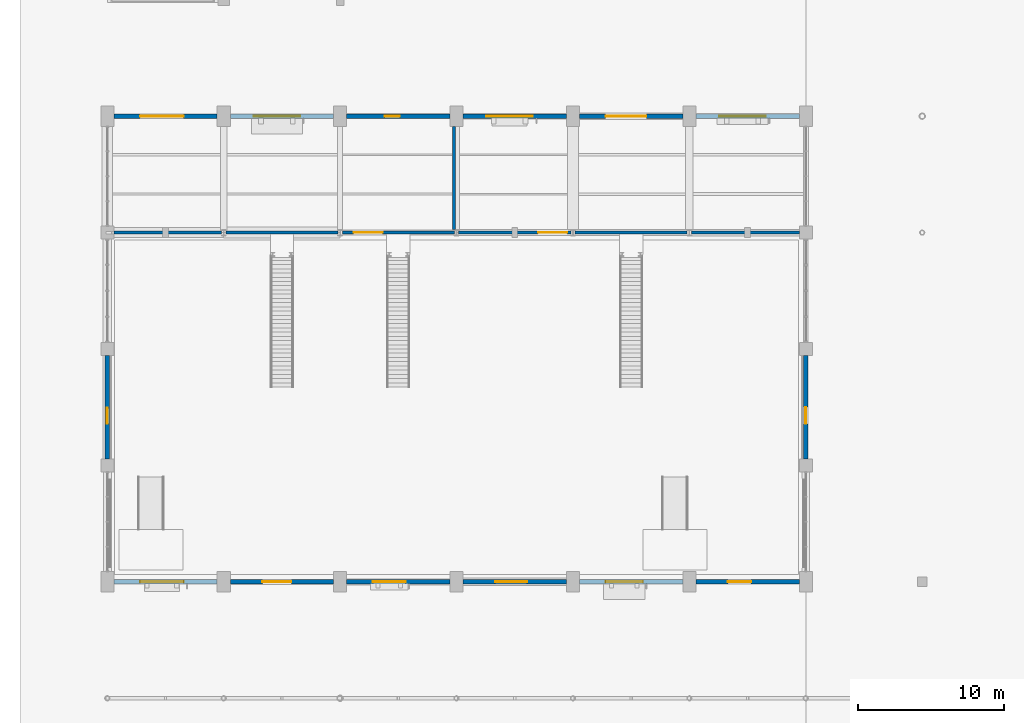
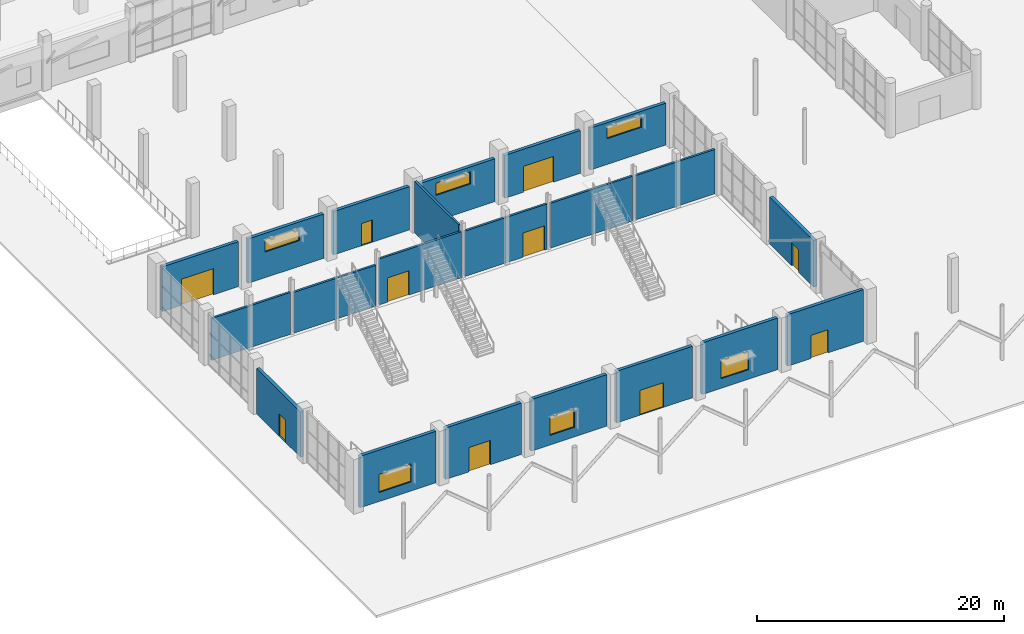
# One storey, part 97 of 123: 21 walls, 10 doors, 6 windows, 16 openings.
"""IFC4 building model written with IfcOpenShell, lengths in metres."""

from ifc_helpers import new_model, si_unit, direction, frame, frame_2d, origin, place, context, subcontext, project, spatial, rectangle, extrude, material, layer, layer_set, type_object, element, fill, save


model = new_model("IFC4")

# Units and contexts
model_context = context("Model", 3, precision=1e-05, world=origin(), true_north=direction((0.0, 1.0)))
body_context = subcontext(model_context, "Body", "Model", "MODEL_VIEW")
ifc_project = project(units=[si_unit("LENGTHUNIT", "METRE"), si_unit("AREAUNIT", "SQUARE_METRE"), si_unit("VOLUMEUNIT", "CUBIC_METRE"), si_unit("PLANEANGLEUNIT", "RADIAN"), si_unit("MASSUNIT", "GRAM", prefix="KILO")], contexts=[model_context])

# Site, building, storey
site_placement = place(None, origin())
site = spatial("IfcSite", under=ifc_project, at=site_placement, CompositionType="ELEMENT")
building_placement = place(site_placement, origin())
building = spatial("IfcBuilding", under=site, at=building_placement, Name="Tenunan Teduh Sports Hall", CompositionType="ELEMENT")
storey_placement = place(building_placement, origin())
storey = spatial("IfcBuildingStorey", under=building, at=storey_placement, Name="L00", CompositionType="ELEMENT", Elevation=0.0)

# Wall, opening, window
ifc_material_1 = material(Name="Concrete C40/50", Category="concrete")
ifc_layer_1 = layer(ifc_material_1, 0.300048828125)
ifc_layer_set_1 = layer_set([ifc_layer_1], Name="Concrete C40/50")
wall_type_1 = type_object("IfcWallType", Name="WL-EXT-300", PredefinedType="SOLIDWALL", material=ifc_layer_set_1)
wall_1_placement = place(storey_placement, frame((6.449951171875, 14.0, 0.0), z_axis=(0.0, 0.0, 1.0), x_axis=(1.0, 0.0, 0.0)))
wall_1 = element("IfcWall", 1, at=wall_1_placement, inside=storey, type_object=wall_type_1, Name="WL-EXT-L00-086", PredefinedType="SOLIDWALL", context=body_context, shape_type="SweptSolid", body=[
    extrude(rectangle(XDim=7.10009765625, YDim=0.300048828125, at=frame_2d((3.550048828125, 0.0))), origin(), (0.0, 0.0, 1.0), 5.10009765625),
])
opening_1_placement = place(wall_1_placement, frame((1.800048828125, 0.0, 0.89990234375)))
opening_1 = element("IfcOpeningElement", 2, at=opening_1_placement, cuts=wall_1, Name="Opening W-04", PredefinedType="OPENING", context=body_context, shape_type="SweptSolid", body=[
    extrude(rectangle(XDim=3.0, YDim=1.800048828125, at=frame_2d((1.5, 0.89990234375))), frame((0.0, 0.159912109375, 0.0), z_axis=(0.0, -1.0, 0.0), x_axis=(1.0, 0.0, 0.0)), (0.0, 0.0, 1.0), 0.320068359375),
])
ifc_material_2 = material(Name="Thermally broken aluminium and Low-E glazing", Category="aluminium")
window_type_1 = type_object("IfcWindowType", Name="WIN-04", PartitioningType="TRIPLE_PANEL_VERTICAL", PredefinedType="WINDOW", material=ifc_material_2)
window_1_placement = place(opening_1_placement, origin())
window_1 = element("IfcWindow", 3, at=window_1_placement, inside=storey, type_object=window_type_1, Name="WIN-L00-008", OverallHeight=1.800048828125, OverallWidth=3.0, PartitioningType="SINGLE_PANEL", PredefinedType="WINDOW", context=body_context, shape_type="SweptSolid", body=[
    extrude(rectangle(XDim=3.0, YDim=1.800048828125, at=frame_2d((1.5, 0.89990234375))), frame((0.0, 0.030029296875, 0.0), z_axis=(0.0, -1.0, 0.0), x_axis=(1.0, 0.0, 0.0)), (0.0, 0.0, 1.0), 0.06005859375),
])
fill(opening_1, window_1)

# Wall, opening, door
wall_2_placement = place(storey_placement, frame((6.449951171875, 46.0, 0.0), z_axis=(0.0, 0.0, 1.0), x_axis=(1.0, 0.0, 0.0)))
wall_2 = element("IfcWall", 4, at=wall_2_placement, inside=storey, type_object=wall_type_1, Name="WL-EXT-L00-087", PredefinedType="SOLIDWALL", context=body_context, shape_type="SweptSolid", body=[
    extrude(rectangle(XDim=7.10009765625, YDim=0.300048828125, at=frame_2d((3.550048828125, 0.0))), origin(), (0.0, 0.0, 1.0), 4.43994140625),
])
opening_2_placement = place(wall_2_placement, frame((1.800048828125, 0.0, 0.0)))
opening_2 = element("IfcOpeningElement", 5, at=opening_2_placement, cuts=wall_2, Name="Opening EG-02", PredefinedType="OPENING", context=body_context, shape_type="SweptSolid", body=[
    extrude(rectangle(XDim=3.0, YDim=2.60009765625, at=frame_2d((1.5, 1.300048828125))), frame((0.0, 0.159912109375, 0.0), z_axis=(0.0, -1.0, 0.0), x_axis=(1.0, 0.0, 0.0)), (0.0, 0.0, 1.0), 0.320068359375),
])
ifc_material_3 = material(Name="Powder-coated aluminium and laminated safety glass", Category="aluminium")
door_type_1 = type_object("IfcDoorType", Name="EGT-02", OperationType="DOUBLE_SWING_LEFT", PredefinedType="GATE", material=ifc_material_3)
door_1_placement = place(opening_2_placement, origin())
door_1 = element("IfcDoor", 6, at=door_1_placement, inside=storey, type_object=door_type_1, Name="DR-EXT-L00-012", OperationType="DOUBLE_SWING_LEFT", OverallHeight=2.60009765625, OverallWidth=3.0, PredefinedType="GATE", context=body_context, shape_type="SweptSolid", body=[
    extrude(rectangle(XDim=3.0, YDim=2.60009765625, at=frame_2d((1.5, 1.300048828125))), frame((0.0, 0.02490234375, 0.0), z_axis=(0.0, -1.0, 0.0), x_axis=(1.0, 0.0, 0.0)), (0.0, 0.0, 1.0), 0.050048828125),
])
fill(opening_2, door_1)

wall_3_placement = place(storey_placement, frame((14.449951171875, 14.0, 0.0), z_axis=(0.0, 0.0, 1.0), x_axis=(1.0, 0.0, 0.0)))
wall_3 = element("IfcWall", 7, at=wall_3_placement, inside=storey, type_object=wall_type_1, Name="WL-EXT-L00-088", PredefinedType="SOLIDWALL", context=body_context, shape_type="SweptSolid", body=[
    extrude(rectangle(XDim=7.10009765625, YDim=0.300048828125, at=frame_2d((3.550048828125, 0.0))), origin(), (0.0, 0.0, 1.0), 5.10009765625),
])
opening_3_placement = place(wall_3_placement, frame((2.199951171875, 0.0, 0.0)))
opening_3 = element("IfcOpeningElement", 8, at=opening_3_placement, cuts=wall_3, Name="Opening ED-01", PredefinedType="OPENING", context=body_context, shape_type="SweptSolid", body=[
    extrude(rectangle(XDim=2.0, YDim=2.39990234375, at=frame_2d((1.0, 1.199951171875))), frame((0.0, 0.159912109375, 0.0), z_axis=(0.0, -1.0, 0.0), x_axis=(1.0, 0.0, 0.0)), (0.0, 0.0, 1.0), 0.320068359375),
])
ifc_material_4 = material(Name="Powder-coated aluminium and laminated safety glass", Category="aluminium")
door_type_2 = type_object("IfcDoorType", Name="EDR-01", OperationType="DOUBLE_DOOR_SINGLE_SWING", PredefinedType="DOOR", material=ifc_material_4)
door_2_placement = place(opening_3_placement, origin())
door_2 = element("IfcDoor", 9, at=door_2_placement, inside=storey, type_object=door_type_2, Name="DR-EXT-L00-013", OperationType="DOUBLE_DOOR_SINGLE_SWING", OverallHeight=2.39990234375, OverallWidth=2.0, PredefinedType="DOOR", context=body_context, shape_type="SweptSolid", body=[
    extrude(rectangle(XDim=2.0, YDim=2.39990234375, at=frame_2d((1.0, 1.199951171875))), frame((0.0, 0.02490234375, 0.0), z_axis=(0.0, -1.0, 0.0), x_axis=(1.0, 0.0, 0.0)), (0.0, 0.0, 1.0), 0.050048828125),
])
fill(opening_3, door_2)

# Wall, opening, window
wall_4_placement = place(storey_placement, frame((14.449951171875, 46.0, 0.0), z_axis=(0.0, 0.0, 1.0), x_axis=(1.0, 0.0, 0.0)))
wall_4 = element("IfcWall", 10, at=wall_4_placement, inside=storey, type_object=wall_type_1, Name="WL-EXT-L00-089", PredefinedType="SOLIDWALL", context=body_context, shape_type="SweptSolid", body=[
    extrude(rectangle(XDim=7.10009765625, YDim=0.300048828125, at=frame_2d((3.550048828125, 0.0))), origin(), (0.0, 0.0, 1.0), 4.389892578125),
])
opening_4_placement = place(wall_4_placement, frame((1.60009765625, 0.0, 2.550048828125)))
opening_4 = element("IfcOpeningElement", 11, at=opening_4_placement, cuts=wall_4, Name="Opening W-07", PredefinedType="OPENING", context=body_context, shape_type="SweptSolid", body=[
    extrude(rectangle(XDim=3.199951171875, YDim=1.199951171875, at=frame_2d((1.60009765625, 0.60009765625))), frame((0.0, 0.159912109375, 0.0), z_axis=(0.0, -1.0, 0.0), x_axis=(1.0, 0.0, 0.0)), (0.0, 0.0, 1.0), 0.320068359375),
])
ifc_material_5 = material(Name="Thermally broken aluminium and Low-E glazing", Category="aluminium")
window_type_2 = type_object("IfcWindowType", Name="WIN-07", PartitioningType="DOUBLE_PANEL_HORIZONTAL", PredefinedType="WINDOW", material=ifc_material_5)
window_2_placement = place(opening_4_placement, origin())
window_2 = element("IfcWindow", 12, at=window_2_placement, inside=storey, type_object=window_type_2, Name="WIN-L00-009", OverallHeight=1.199951171875, OverallWidth=3.199951171875, PartitioningType="SINGLE_PANEL", PredefinedType="WINDOW", context=body_context, shape_type="SweptSolid", body=[
    extrude(rectangle(XDim=3.199951171875, YDim=1.199951171875, at=frame_2d((1.60009765625, 0.60009765625))), frame((0.0, 0.030029296875, 0.0), z_axis=(0.0, -1.0, 0.0), x_axis=(1.0, 0.0, 0.0)), (0.0, 0.0, 1.0), 0.06005859375),
])
fill(opening_4, window_2)

wall_5_placement = place(storey_placement, frame((22.449951171875, 14.0, 0.0), z_axis=(0.0, 0.0, 1.0), x_axis=(1.0, 0.0, 0.0)))
wall_5 = element("IfcWall", 13, at=wall_5_placement, inside=storey, type_object=wall_type_1, Name="WL-EXT-L00-090", PredefinedType="SOLIDWALL", context=body_context, shape_type="SweptSolid", body=[
    extrude(rectangle(XDim=7.10009765625, YDim=0.300048828125, at=frame_2d((3.550048828125, 0.0))), origin(), (0.0, 0.0, 1.0), 5.10009765625),
])
opening_5_placement = place(wall_5_placement, frame((1.800048828125, 0.0, 0.949951171875)))
opening_5 = element("IfcOpeningElement", 14, at=opening_5_placement, cuts=wall_5, Name="Opening W-21", PredefinedType="OPENING", context=body_context, shape_type="SweptSolid", body=[
    extrude(rectangle(XDim=2.25, YDim=1.85009765625, at=frame_2d((1.125, 0.925048828125))), frame((0.0, 0.159912109375, 0.0), z_axis=(0.0, -1.0, 0.0), x_axis=(1.0, 0.0, 0.0)), (0.0, 0.0, 1.0), 0.320068359375),
])
ifc_material_6 = material(Name="Thermally broken aluminium and Low-E glazing", Category="aluminium")
window_type_3 = type_object("IfcWindowType", Name="WIN-21", PartitioningType="TRIPLE_PANEL_VERTICAL", PredefinedType="WINDOW", material=ifc_material_6)
window_3_placement = place(opening_5_placement, origin())
window_3 = element("IfcWindow", 15, at=window_3_placement, inside=storey, type_object=window_type_3, Name="WIN-L00-010", OverallHeight=1.85009765625, OverallWidth=2.25, PartitioningType="SINGLE_PANEL", PredefinedType="WINDOW", context=body_context, shape_type="SweptSolid", body=[
    extrude(rectangle(XDim=2.25, YDim=1.85009765625, at=frame_2d((1.125, 0.925048828125))), frame((0.0, 0.030029296875, 0.0), z_axis=(0.0, -1.0, 0.0), x_axis=(1.0, 0.0, 0.0)), (0.0, 0.0, 1.0), 0.06005859375),
])
fill(opening_5, window_3)

# Wall, opening, door
wall_6_placement = place(storey_placement, frame((22.449951171875, 46.0, 0.0), z_axis=(0.0, 0.0, 1.0), x_axis=(1.0, 0.0, 0.0)))
wall_6 = element("IfcWall", 16, at=wall_6_placement, inside=storey, type_object=wall_type_1, Name="WL-EXT-L00-091", PredefinedType="SOLIDWALL", context=body_context, shape_type="SweptSolid", body=[
    extrude(rectangle(XDim=7.10009765625, YDim=0.300048828125, at=frame_2d((3.550048828125, 0.0))), origin(), (0.0, 0.0, 1.0), 4.2900390625),
])
opening_6_placement = place(wall_6_placement, frame((2.60009765625, 0.0, 0.0)))
opening_6 = element("IfcOpeningElement", 17, at=opening_6_placement, cuts=wall_6, Name="Opening ED-04", PredefinedType="OPENING", context=body_context, shape_type="SweptSolid", body=[
    extrude(rectangle(XDim=1.050048828125, YDim=2.199951171875, at=frame_2d((0.52490234375, 1.10009765625))), frame((0.0, 0.159912109375, 0.0), z_axis=(0.0, -1.0, 0.0), x_axis=(1.0, 0.0, 0.0)), (0.0, 0.0, 1.0), 0.320068359375),
])
ifc_material_7 = material(Name="Powder-coated aluminium and laminated safety glass", Category="aluminium")
door_type_3 = type_object("IfcDoorType", Name="EDR-04", OperationType="SINGLE_SWING_RIGHT", PredefinedType="DOOR", material=ifc_material_7)
door_3_placement = place(opening_6_placement, origin())
door_3 = element("IfcDoor", 18, at=door_3_placement, inside=storey, type_object=door_type_3, Name="DR-EXT-L00-014", OperationType="SINGLE_SWING_RIGHT", OverallHeight=2.199951171875, OverallWidth=1.050048828125, PredefinedType="DOOR", context=body_context, shape_type="SweptSolid", body=[
    extrude(rectangle(XDim=1.050048828125, YDim=2.199951171875, at=frame_2d((0.52490234375, 1.10009765625))), frame((0.0, 0.02490234375, 0.0), z_axis=(0.0, -1.0, 0.0), x_axis=(1.0, 0.0, 0.0)), (0.0, 0.0, 1.0), 0.050048828125),
])
fill(opening_6, door_3)

wall_7_placement = place(storey_placement, frame((30.449951171875, 14.0, 0.0), z_axis=(0.0, 0.0, 1.0), x_axis=(1.0, 0.0, 0.0)))
wall_7 = element("IfcWall", 19, at=wall_7_placement, inside=storey, type_object=wall_type_1, Name="WL-EXT-L00-092", PredefinedType="SOLIDWALL", context=body_context, shape_type="SweptSolid", body=[
    extrude(rectangle(XDim=7.10009765625, YDim=0.300048828125, at=frame_2d((3.550048828125, 0.0))), origin(), (0.0, 0.0, 1.0), 5.10009765625),
])
opening_7_placement = place(wall_7_placement, frame((2.199951171875, 0.0, 0.0)))
opening_7 = element("IfcOpeningElement", 20, at=opening_7_placement, cuts=wall_7, Name="Opening ED-07", PredefinedType="OPENING", context=body_context, shape_type="SweptSolid", body=[
    extrude(rectangle(XDim=2.199951171875, YDim=2.449951171875, at=frame_2d((1.10009765625, 1.22509765625))), frame((0.0, 0.159912109375, 0.0), z_axis=(0.0, -1.0, 0.0), x_axis=(1.0, 0.0, 0.0)), (0.0, 0.0, 1.0), 0.320068359375),
])
ifc_material_8 = material(Name="Powder-coated aluminium and laminated safety glass", Category="aluminium")
door_type_4 = type_object("IfcDoorType", Name="EDR-07", OperationType="DOUBLE_DOOR_SINGLE_SWING", PredefinedType="DOOR", material=ifc_material_8)
door_4_placement = place(opening_7_placement, origin())
door_4 = element("IfcDoor", 21, at=door_4_placement, inside=storey, type_object=door_type_4, Name="DR-EXT-L00-015", OperationType="DOUBLE_DOOR_SINGLE_SWING", OverallHeight=2.449951171875, OverallWidth=2.199951171875, PredefinedType="DOOR", context=body_context, shape_type="SweptSolid", body=[
    extrude(rectangle(XDim=2.199951171875, YDim=2.449951171875, at=frame_2d((1.10009765625, 1.22509765625))), frame((0.0, 0.02490234375, 0.0), z_axis=(0.0, -1.0, 0.0), x_axis=(1.0, 0.0, 0.0)), (0.0, 0.0, 1.0), 0.050048828125),
])
fill(opening_7, door_4)

# Wall, opening, window
wall_8_placement = place(storey_placement, frame((30.449951171875, 46.0, 0.0), z_axis=(0.0, 0.0, 1.0), x_axis=(1.0, 0.0, 0.0)))
wall_8 = element("IfcWall", 22, at=wall_8_placement, inside=storey, type_object=wall_type_1, Name="WL-EXT-L00-093", PredefinedType="SOLIDWALL", context=body_context, shape_type="SweptSolid", body=[
    extrude(rectangle(XDim=7.10009765625, YDim=0.300048828125, at=frame_2d((3.550048828125, 0.0))), origin(), (0.0, 0.0, 1.0), 4.239990234375),
])
opening_8_placement = place(wall_8_placement, frame((1.60009765625, 0.0, 2.550048828125)))
opening_8 = element("IfcOpeningElement", 23, at=opening_8_placement, cuts=wall_8, Name="Opening W-07", PredefinedType="OPENING", context=body_context, shape_type="SweptSolid", body=[
    extrude(rectangle(XDim=3.199951171875, YDim=1.199951171875, at=frame_2d((1.60009765625, 0.60009765625))), frame((0.0, 0.159912109375, 0.0), z_axis=(0.0, -1.0, 0.0), x_axis=(1.0, 0.0, 0.0)), (0.0, 0.0, 1.0), 0.320068359375),
])
window_4_placement = place(opening_8_placement, origin())
window_4 = element("IfcWindow", 24, at=window_4_placement, inside=storey, type_object=window_type_2, Name="WIN-L00-011", OverallHeight=1.199951171875, OverallWidth=3.199951171875, PartitioningType="SINGLE_PANEL", PredefinedType="WINDOW", context=body_context, shape_type="SweptSolid", body=[
    extrude(rectangle(XDim=3.199951171875, YDim=1.199951171875, at=frame_2d((1.60009765625, 0.60009765625))), frame((0.0, 0.030029296875, 0.0), z_axis=(0.0, -1.0, 0.0), x_axis=(1.0, 0.0, 0.0)), (0.0, 0.0, 1.0), 0.06005859375),
])
fill(opening_8, window_4)

wall_9_placement = place(storey_placement, frame((38.449951171875, 14.0, 0.0), z_axis=(0.0, 0.0, 1.0), x_axis=(1.0, 0.0, 0.0)))
wall_9 = element("IfcWall", 25, at=wall_9_placement, inside=storey, type_object=wall_type_1, Name="WL-EXT-L00-094", PredefinedType="SOLIDWALL", context=body_context, shape_type="SweptSolid", body=[
    extrude(rectangle(XDim=7.10009765625, YDim=0.300048828125, at=frame_2d((3.550048828125, 0.0))), origin(), (0.0, 0.0, 1.0), 5.10009765625),
])
opening_9_placement = place(wall_9_placement, frame((1.800048828125, 0.0, 0.949951171875)))
opening_9 = element("IfcOpeningElement", 26, at=opening_9_placement, cuts=wall_9, Name="Opening W-22", PredefinedType="OPENING", context=body_context, shape_type="SweptSolid", body=[
    extrude(rectangle(XDim=2.550048828125, YDim=1.85009765625, at=frame_2d((1.27490234375, 0.925048828125))), frame((0.0, 0.159912109375, 0.0), z_axis=(0.0, -1.0, 0.0), x_axis=(1.0, 0.0, 0.0)), (0.0, 0.0, 1.0), 0.320068359375),
])
ifc_material_9 = material(Name="Thermally broken aluminium and Low-E glazing", Category="aluminium")
window_type_4 = type_object("IfcWindowType", Name="WIN-22", PartitioningType="TRIPLE_PANEL_VERTICAL", PredefinedType="WINDOW", material=ifc_material_9)
window_5_placement = place(opening_9_placement, origin())
window_5 = element("IfcWindow", 27, at=window_5_placement, inside=storey, type_object=window_type_4, Name="WIN-L00-012", OverallHeight=1.85009765625, OverallWidth=2.550048828125, PartitioningType="SINGLE_PANEL", PredefinedType="WINDOW", context=body_context, shape_type="SweptSolid", body=[
    extrude(rectangle(XDim=2.550048828125, YDim=1.85009765625, at=frame_2d((1.27490234375, 0.925048828125))), frame((0.0, 0.030029296875, 0.0), z_axis=(0.0, -1.0, 0.0), x_axis=(1.0, 0.0, 0.0)), (0.0, 0.0, 1.0), 0.06005859375),
])
fill(opening_9, window_5)

# Wall, opening, door
wall_10_placement = place(storey_placement, frame((38.449951171875, 46.0, 0.0), z_axis=(0.0, 0.0, 1.0), x_axis=(1.0, 0.0, 0.0)))
wall_10 = element("IfcWall", 28, at=wall_10_placement, inside=storey, type_object=wall_type_1, Name="WL-EXT-L00-095", PredefinedType="SOLIDWALL", context=body_context, shape_type="SweptSolid", body=[
    extrude(rectangle(XDim=7.10009765625, YDim=0.300048828125, at=frame_2d((3.550048828125, 0.0))), origin(), (0.0, 0.0, 1.0), 4.239990234375),
])
opening_10_placement = place(wall_10_placement, frame((1.800048828125, 0.0, 0.0)))
opening_10 = element("IfcOpeningElement", 29, at=opening_10_placement, cuts=wall_10, Name="Opening EG-03", PredefinedType="OPENING", context=body_context, shape_type="SweptSolid", body=[
    extrude(rectangle(XDim=2.800048828125, YDim=2.550048828125, at=frame_2d((1.39990234375, 1.27490234375))), frame((0.0, 0.159912109375, 0.0), z_axis=(0.0, -1.0, 0.0), x_axis=(1.0, 0.0, 0.0)), (0.0, 0.0, 1.0), 0.320068359375),
])
ifc_material_10 = material(Name="Powder-coated aluminium and laminated safety glass", Category="aluminium")
door_type_5 = type_object("IfcDoorType", Name="EGT-03", OperationType="DOUBLE_SWING_RIGHT", PredefinedType="GATE", material=ifc_material_10)
door_5_placement = place(opening_10_placement, origin())
door_5 = element("IfcDoor", 30, at=door_5_placement, inside=storey, type_object=door_type_5, Name="DR-EXT-L00-016", OperationType="DOUBLE_SWING_RIGHT", OverallHeight=2.550048828125, OverallWidth=2.800048828125, PredefinedType="GATE", context=body_context, shape_type="SweptSolid", body=[
    extrude(rectangle(XDim=2.800048828125, YDim=2.550048828125, at=frame_2d((1.39990234375, 1.27490234375))), frame((0.0, 0.02490234375, 0.0), z_axis=(0.0, -1.0, 0.0), x_axis=(1.0, 0.0, 0.0)), (0.0, 0.0, 1.0), 0.050048828125),
])
fill(opening_10, door_5)

wall_11_placement = place(storey_placement, frame((46.449951171875, 14.0, 0.0), z_axis=(0.0, 0.0, 1.0), x_axis=(1.0, 0.0, 0.0)))
wall_11 = element("IfcWall", 31, at=wall_11_placement, inside=storey, type_object=wall_type_1, Name="WL-EXT-L00-096", PredefinedType="SOLIDWALL", context=body_context, shape_type="SweptSolid", body=[
    extrude(rectangle(XDim=7.10009765625, YDim=0.300048828125, at=frame_2d((3.550048828125, 0.0))), origin(), (0.0, 0.0, 1.0), 5.10009765625),
])
opening_11_placement = place(wall_11_placement, frame((2.199951171875, 0.0, 0.0)))
opening_11 = element("IfcOpeningElement", 32, at=opening_11_placement, cuts=wall_11, Name="Opening ED-06", PredefinedType="OPENING", context=body_context, shape_type="SweptSolid", body=[
    extrude(rectangle(XDim=1.60009765625, YDim=2.300048828125, at=frame_2d((0.800048828125, 1.14990234375))), frame((0.0, 0.159912109375, 0.0), z_axis=(0.0, -1.0, 0.0), x_axis=(1.0, 0.0, 0.0)), (0.0, 0.0, 1.0), 0.320068359375),
])
ifc_material_11 = material(Name="Powder-coated aluminium and laminated safety glass", Category="aluminium")
door_type_6 = type_object("IfcDoorType", Name="EDR-06", OperationType="DOUBLE_DOOR_SINGLE_SWING", PredefinedType="DOOR", material=ifc_material_11)
door_6_placement = place(opening_11_placement, origin())
door_6 = element("IfcDoor", 33, at=door_6_placement, inside=storey, type_object=door_type_6, Name="DR-EXT-L00-017", OperationType="DOUBLE_DOOR_SINGLE_SWING", OverallHeight=2.300048828125, OverallWidth=1.60009765625, PredefinedType="DOOR", context=body_context, shape_type="SweptSolid", body=[
    extrude(rectangle(XDim=1.60009765625, YDim=2.300048828125, at=frame_2d((0.800048828125, 1.14990234375))), frame((0.0, 0.02490234375, 0.0), z_axis=(0.0, -1.0, 0.0), x_axis=(1.0, 0.0, 0.0)), (0.0, 0.0, 1.0), 0.050048828125),
])
fill(opening_11, door_6)

# Wall, opening, window
wall_12_placement = place(storey_placement, frame((46.449951171875, 46.0, 0.0), z_axis=(0.0, 0.0, 1.0), x_axis=(1.0, 0.0, 0.0)))
wall_12 = element("IfcWall", 34, at=wall_12_placement, inside=storey, type_object=wall_type_1, Name="WL-EXT-L00-097", PredefinedType="SOLIDWALL", context=body_context, shape_type="SweptSolid", body=[
    extrude(rectangle(XDim=7.10009765625, YDim=0.300048828125, at=frame_2d((3.550048828125, 0.0))), origin(), (0.0, 0.0, 1.0), 4.139892578125),
])
opening_12_placement = place(wall_12_placement, frame((1.60009765625, 0.0, 2.550048828125)))
opening_12 = element("IfcOpeningElement", 35, at=opening_12_placement, cuts=wall_12, Name="Opening W-07", PredefinedType="OPENING", context=body_context, shape_type="SweptSolid", body=[
    extrude(rectangle(XDim=3.199951171875, YDim=1.199951171875, at=frame_2d((1.60009765625, 0.60009765625))), frame((0.0, 0.159912109375, 0.0), z_axis=(0.0, -1.0, 0.0), x_axis=(1.0, 0.0, 0.0)), (0.0, 0.0, 1.0), 0.320068359375),
])
window_6_placement = place(opening_12_placement, origin())
window_6 = element("IfcWindow", 36, at=window_6_placement, inside=storey, type_object=window_type_2, Name="WIN-L00-013", OverallHeight=1.199951171875, OverallWidth=3.199951171875, PartitioningType="SINGLE_PANEL", PredefinedType="WINDOW", context=body_context, shape_type="SweptSolid", body=[
    extrude(rectangle(XDim=3.199951171875, YDim=1.199951171875, at=frame_2d((1.60009765625, 0.60009765625))), frame((0.0, 0.030029296875, 0.0), z_axis=(0.0, -1.0, 0.0), x_axis=(1.0, 0.0, 0.0)), (0.0, 0.0, 1.0), 0.06005859375),
])
fill(opening_12, window_6)

# Wall, opening, door
wall_13_placement = place(storey_placement, frame((6.0, 22.449951171875, 0.0), z_axis=(0.0, 0.0, 1.0), x_axis=(0.0, 1.0, 0.0)))
wall_13 = element("IfcWall", 37, at=wall_13_placement, inside=storey, type_object=wall_type_1, Name="WL-EXT-L00-098", PredefinedType="SOLIDWALL", context=body_context, shape_type="SweptSolid", body=[
    extrude(rectangle(XDim=7.10009765625, YDim=0.300048828125, at=frame_2d((3.550048828125, 0.0))), origin(), (0.0, 0.0, 1.0), 4.489990234375),
])
opening_13_placement = place(wall_13_placement, frame((2.39990234375, 0.0, 0.0)))
opening_13 = element("IfcOpeningElement", 38, at=opening_13_placement, cuts=wall_13, Name="Opening ED-03", PredefinedType="OPENING", context=body_context, shape_type="SweptSolid", body=[
    extrude(rectangle(XDim=1.10009765625, YDim=2.199951171875, at=frame_2d((0.550048828125, 1.10009765625))), frame((0.0, 0.159912109375, 0.0), z_axis=(0.0, -1.0, 0.0), x_axis=(1.0, 0.0, 0.0)), (0.0, 0.0, 1.0), 0.320068359375),
])
ifc_material_12 = material(Name="Powder-coated aluminium and laminated safety glass", Category="aluminium")
door_type_7 = type_object("IfcDoorType", Name="EDR-03", OperationType="SINGLE_SWING_LEFT", PredefinedType="DOOR", material=ifc_material_12)
door_7_placement = place(opening_13_placement, frame((1.10009765625, 0.0, 0.0), z_axis=(0.0, 0.0, 1.0), x_axis=(-1.0, 0.0, 0.0)))
door_7 = element("IfcDoor", 39, at=door_7_placement, inside=storey, type_object=door_type_7, Name="DR-EXT-L00-018", OperationType="SINGLE_SWING_LEFT", OverallHeight=2.199951171875, OverallWidth=1.10009765625, PredefinedType="DOOR", context=body_context, shape_type="SweptSolid", body=[
    extrude(rectangle(XDim=1.10009765625, YDim=2.199951171875, at=frame_2d((0.550048828125, 1.10009765625))), frame((0.0, 0.02490234375, 0.0), z_axis=(0.0, -1.0, 0.0), x_axis=(1.0, 0.0, 0.0)), (0.0, 0.0, 1.0), 0.050048828125),
])
fill(opening_13, door_7)

wall_14_placement = place(storey_placement, frame((54.0, 22.449951171875, 0.0), z_axis=(0.0, 0.0, 1.0), x_axis=(0.0, 1.0, 0.0)))
wall_14 = element("IfcWall", 40, at=wall_14_placement, inside=storey, type_object=wall_type_1, Name="WL-EXT-L00-099", PredefinedType="SOLIDWALL", context=body_context, shape_type="SweptSolid", body=[
    extrude(rectangle(XDim=7.10009765625, YDim=0.300048828125, at=frame_2d((3.550048828125, 0.0))), origin(), (0.0, 0.0, 1.0), 4.639892578125),
])
opening_14_placement = place(wall_14_placement, frame((2.39990234375, 0.0, 0.0)))
opening_14 = element("IfcOpeningElement", 41, at=opening_14_placement, cuts=wall_14, Name="Opening ED-09", PredefinedType="OPENING", context=body_context, shape_type="SweptSolid", body=[
    extrude(rectangle(XDim=1.14990234375, YDim=2.25, at=frame_2d((0.574951171875, 1.125))), frame((0.0, 0.159912109375, 0.0), z_axis=(0.0, -1.0, 0.0), x_axis=(1.0, 0.0, 0.0)), (0.0, 0.0, 1.0), 0.320068359375),
])
ifc_material_13 = material(Name="Powder-coated aluminium and laminated safety glass", Category="aluminium")
door_type_8 = type_object("IfcDoorType", Name="EDR-09", OperationType="SINGLE_SWING_RIGHT", PredefinedType="DOOR", material=ifc_material_13)
door_8_placement = place(opening_14_placement, origin())
door_8 = element("IfcDoor", 42, at=door_8_placement, inside=storey, type_object=door_type_8, Name="DR-EXT-L00-019", OperationType="SINGLE_SWING_RIGHT", OverallHeight=2.25, OverallWidth=1.14990234375, PredefinedType="DOOR", context=body_context, shape_type="SweptSolid", body=[
    extrude(rectangle(XDim=1.14990234375, YDim=2.25, at=frame_2d((0.574951171875, 1.125))), frame((0.0, 0.02490234375, 0.0), z_axis=(0.0, -1.0, 0.0), x_axis=(1.0, 0.0, 0.0)), (0.0, 0.0, 1.0), 0.050048828125),
])
fill(opening_14, door_8)

# Walls
ifc_material_14 = material(Name="Autoclaved aerated concrete blockwork", Category="masonry")
ifc_layer_2 = layer(ifc_material_14, 0.199951171875)
ifc_layer_set_2 = layer_set([ifc_layer_2], Name="Autoclaved aerated concrete blockwork")
wall_type_2 = type_object("IfcWallType", Name="WL-PRT-200", PredefinedType="PARTITIONING", material=ifc_layer_set_2)
wall_15_placement = place(storey_placement, frame((6.449951171875, 38.0, 0.0), z_axis=(0.0, 0.0, 1.0), x_axis=(1.0, 0.0, 0.0)))
element("IfcWall", 43, at=wall_15_placement, inside=storey, type_object=wall_type_2, Name="WL-PRT-L00-289", PredefinedType="PARTITIONING", context=body_context, shape_type="SweptSolid", body=[
    extrude(rectangle(XDim=7.400146484375, YDim=0.199951171875, at=frame_2d((3.7001953125, 0.0))), origin(), (0.0, 0.0, 1.0), 4.139892578125),
])
wall_16_placement = place(storey_placement, frame((14.14990234375, 38.0, 0.0), z_axis=(0.0, 0.0, 1.0), x_axis=(1.0, 0.0, 0.0)))
element("IfcWall", 44, at=wall_16_placement, inside=storey, type_object=wall_type_2, Name="WL-PRT-L00-290", PredefinedType="PARTITIONING", context=body_context, shape_type="SweptSolid", body=[
    extrude(rectangle(XDim=7.7001953125, YDim=0.199951171875, at=frame_2d((3.85009765625, 0.0))), origin(), (0.0, 0.0, 1.0), 4.0400390625),
])

# Wall, opening, door
wall_17_placement = place(storey_placement, frame((22.14990234375, 38.0, 0.0), z_axis=(0.0, 0.0, 1.0), x_axis=(1.0, 0.0, 0.0)))
wall_17 = element("IfcWall", 45, at=wall_17_placement, inside=storey, type_object=wall_type_2, Name="WL-PRT-L00-291", PredefinedType="PARTITIONING", context=body_context, shape_type="SweptSolid", body=[
    extrude(rectangle(XDim=7.7001953125, YDim=0.199951171875, at=frame_2d((3.85009765625, 0.0))), origin(), (0.0, 0.0, 1.0), 4.5400390625),
])
opening_15_placement = place(wall_17_placement, frame((0.77001953125, 0.0, 0.0)))
opening_15 = element("IfcOpeningElement", 46, at=opening_15_placement, cuts=wall_17, Name="Opening ID-07", PredefinedType="OPENING", context=body_context, shape_type="SweptSolid", body=[
    extrude(rectangle(XDim=2.0, YDim=2.39990234375, at=frame_2d((1.0, 1.199951171875))), frame((0.0, 0.10986328125, 0.0), z_axis=(0.0, -1.0, 0.0), x_axis=(1.0, 0.0, 0.0)), (0.0, 0.0, 1.0), 0.219970703125),
])
ifc_material_15 = material(Name="Equipment store steel pair", Category="steel")
door_type_9 = type_object("IfcDoorType", Name="IDR-07", OperationType="DOUBLE_DOOR_SINGLE_SWING", PredefinedType="DOOR", material=ifc_material_15)
door_9_placement = place(opening_15_placement, origin())
door_9 = element("IfcDoor", 47, at=door_9_placement, inside=storey, type_object=door_type_9, Name="DR-INT-L00-110", OperationType="DOUBLE_DOOR_SINGLE_SWING", OverallHeight=2.39990234375, OverallWidth=2.0, PredefinedType="DOOR", context=body_context, shape_type="SweptSolid", body=[
    extrude(rectangle(XDim=2.0, YDim=2.39990234375, at=frame_2d((1.0, 1.199951171875))), frame((0.0, 0.02490234375, 0.0), z_axis=(0.0, -1.0, 0.0), x_axis=(1.0, 0.0, 0.0)), (0.0, 0.0, 1.0), 0.050048828125),
])
fill(opening_15, door_9)

wall_18_placement = place(storey_placement, frame((30.14990234375, 38.0, 0.0), z_axis=(0.0, 0.0, 1.0), x_axis=(1.0, 0.0, 0.0)))
wall_18 = element("IfcWall", 48, at=wall_18_placement, inside=storey, type_object=wall_type_2, Name="WL-PRT-L00-292", PredefinedType="PARTITIONING", context=body_context, shape_type="SweptSolid", body=[
    extrude(rectangle(XDim=7.7001953125, YDim=0.199951171875, at=frame_2d((3.85009765625, 0.0))), origin(), (0.0, 0.0, 1.0), 4.489990234375),
])
opening_16_placement = place(wall_18_placement, frame((5.449951171875, 0.0, 0.0)))
opening_16 = element("IfcOpeningElement", 49, at=opening_16_placement, cuts=wall_18, Name="Opening ID-07", PredefinedType="OPENING", context=body_context, shape_type="SweptSolid", body=[
    extrude(rectangle(XDim=2.0, YDim=2.39990234375, at=frame_2d((1.0, 1.199951171875))), frame((0.0, 0.10986328125, 0.0), z_axis=(0.0, -1.0, 0.0), x_axis=(1.0, 0.0, 0.0)), (0.0, 0.0, 1.0), 0.219970703125),
])
door_10_placement = place(opening_16_placement, origin())
door_10 = element("IfcDoor", 50, at=door_10_placement, inside=storey, type_object=door_type_9, Name="DR-INT-L00-111", OperationType="DOUBLE_DOOR_SINGLE_SWING", OverallHeight=2.39990234375, OverallWidth=2.0, PredefinedType="DOOR", context=body_context, shape_type="SweptSolid", body=[
    extrude(rectangle(XDim=2.0, YDim=2.39990234375, at=frame_2d((1.0, 1.199951171875))), frame((0.0, 0.02490234375, 0.0), z_axis=(0.0, -1.0, 0.0), x_axis=(1.0, 0.0, 0.0)), (0.0, 0.0, 1.0), 0.050048828125),
])
fill(opening_16, door_10)

# Walls
wall_19_placement = place(storey_placement, frame((38.14990234375, 38.0, 0.0), z_axis=(0.0, 0.0, 1.0), x_axis=(1.0, 0.0, 0.0)))
element("IfcWall", 51, at=wall_19_placement, inside=storey, type_object=wall_type_2, Name="WL-PRT-L00-293", PredefinedType="PARTITIONING", context=body_context, shape_type="SweptSolid", body=[
    extrude(rectangle(XDim=7.7001953125, YDim=0.199951171875, at=frame_2d((3.85009765625, 0.0))), origin(), (0.0, 0.0, 1.0), 4.43994140625),
])
wall_20_placement = place(storey_placement, frame((46.14990234375, 38.0, 0.0), z_axis=(0.0, 0.0, 1.0), x_axis=(1.0, 0.0, 0.0)))
element("IfcWall", 52, at=wall_20_placement, inside=storey, type_object=wall_type_2, Name="WL-PRT-L00-294", PredefinedType="PARTITIONING", context=body_context, shape_type="SweptSolid", body=[
    extrude(rectangle(XDim=7.400146484375, YDim=0.199951171875, at=frame_2d((3.7001953125, 0.0))), origin(), (0.0, 0.0, 1.0), 4.389892578125),
])
wall_21_placement = place(storey_placement, frame((29.81103515625, 38.199951171875, 0.0), z_axis=(0.0, 0.0, 1.0), x_axis=(0.0, 1.0, 0.0)))
element("IfcWall", 53, at=wall_21_placement, inside=storey, type_object=wall_type_2, Name="WL-PRT-L00-295", PredefinedType="PARTITIONING", context=body_context, shape_type="SweptSolid", body=[
    extrude(rectangle(XDim=7.10009765625, YDim=0.199951171875, at=frame_2d((3.550048828125, 0.0))), origin(), (0.0, 0.0, 1.0), 5.10009765625),
])

save(model, "model.ifc")
